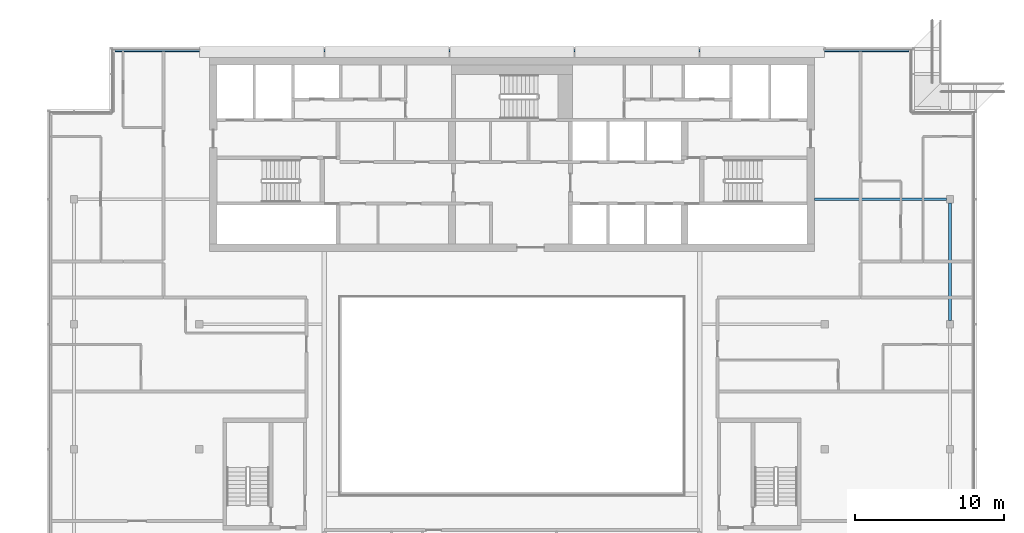
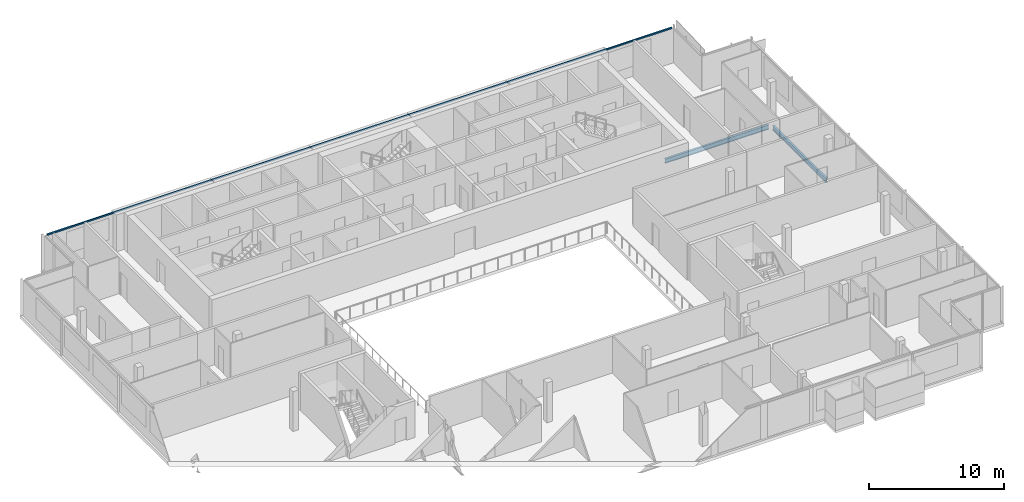
# One storey, part 12 of 24: 2 beams, 1 member, 1 element without a shape of its own.
"""IFC4 building model written with IfcOpenShell, lengths in metres."""

from ifc_helpers import new_model, si_unit, direction, frame, origin, origin_2d, place, context, subcontext, project, spatial, rectangle, i_section, extrude, material, material_profile, profile_set, type_object, element, aggregate, save


model = new_model("IFC4")

# Units and contexts
model_context = context("Model", 3, precision=1e-05, world=origin(), true_north=direction((0.0, 1.0)))
body_context = subcontext(model_context, "Body", "Model", "MODEL_VIEW")
ifc_project = project(units=[si_unit("LENGTHUNIT", "METRE"), si_unit("AREAUNIT", "SQUARE_METRE"), si_unit("VOLUMEUNIT", "CUBIC_METRE"), si_unit("PLANEANGLEUNIT", "RADIAN"), si_unit("MASSUNIT", "GRAM", prefix="KILO")], contexts=[model_context])

# Site, building, storey
site_placement = place(None, origin())
site = spatial("IfcSite", under=ifc_project, at=site_placement, CompositionType="ELEMENT")
building_placement = place(site_placement, origin())
building = spatial("IfcBuilding", under=site, at=building_placement, Name="Saffron Gate Tower", CompositionType="ELEMENT")
storey_placement = place(building_placement, frame((0.0, 0.0, 281.550048828125)))
storey = spatial("IfcBuildingStorey", under=building, at=storey_placement, Name="L68", CompositionType="ELEMENT", Elevation=281.550048828125)

# Beams
ifc_material_1 = material(Name="Structural steel S355", Category="steel")
ifc_material_profile_1 = material_profile(ifc_material_1, i_section(OverallWidth=0.179931640625, OverallDepth=0.39990234375, WebThickness=0.008544921875, FlangeThickness=0.013427734375, FilletRadius=0.02099609375, at=origin_2d()))
ifc_profile_set_1 = profile_set([ifc_material_profile_1], Name="Structural steel S355")
beam_type_1 = type_object("IfcBeamType", Name="B4 IPE 400", PredefinedType="BEAM", material=ifc_profile_set_1)
beam_1_placement = place(storey_placement, frame((116.75, 65.39990234375, -0.47998046875), z_axis=(-1.0, 0.0, 0.0), x_axis=(0.0, -1.0, 0.0)))
element("IfcBeam", 1, at=beam_1_placement, inside=storey, type_object=beam_type_1, Name="B4 CORE TIE BEAM", PredefinedType="BEAM", context=body_context, shape_type="SweptSolid", body=[
    extrude(i_section(OverallWidth=0.179931640625, OverallDepth=0.39990234375, WebThickness=0.008544921875, FlangeThickness=0.013427734375, FilletRadius=0.02099609375, at=origin_2d()), origin(), (0.0, 0.0, 1.0), 8.85009765625),
])
ifc_material_profile_2 = material_profile(ifc_material_1, i_section(OverallWidth=0.179931640625, OverallDepth=0.39990234375, WebThickness=0.008544921875, FlangeThickness=0.013427734375, FilletRadius=0.02099609375, at=origin_2d()))
ifc_profile_set_2 = profile_set([ifc_material_profile_2], Name="Structural steel S355")
beam_type_2 = type_object("IfcBeamType", Name="B5 IPE 400", PredefinedType="SPANDREL", material=ifc_profile_set_2)
beam_2_placement = place(storey_placement, frame((117.0, 57.25, -0.47998046875), z_axis=(0.0, 1.0, 0.0), x_axis=(-1.0, 0.0, 0.0)))
element("IfcBeam", 2, at=beam_2_placement, inside=storey, type_object=beam_type_2, Name="B5 SPANDREL BEAM", PredefinedType="SPANDREL", context=body_context, shape_type="SweptSolid", body=[
    extrude(i_section(OverallWidth=0.179931640625, OverallDepth=0.39990234375, WebThickness=0.008544921875, FlangeThickness=0.013427734375, FilletRadius=0.02099609375, at=origin_2d()), origin(), (0.0, 0.0, 1.0), 7.89990234375),
])

# Curtain wall, member
ifc_material_2 = material(Name="Aluminium, bronze anodised", Category="aluminium")
curtain_wall_type = type_object("IfcCurtainWallType", Name="CWS3 curtain wall rear facade", PredefinedType="NOTDEFINED", material=ifc_material_2)
curtain_wall_placement = place(storey_placement, origin())
curtain_wall = element("IfcCurtainWall", 3, at=curtain_wall_placement, inside=storey, type_object=curtain_wall_type, Name="CWS3 run 7", PredefinedType="NOTDEFINED")
ifc_material_profile_3 = material_profile(ifc_material_2, rectangle(XDim=0.1201171875, YDim=0.1201171875, at=origin_2d()))
ifc_profile_set_3 = profile_set([ifc_material_profile_3], Name="Aluminium, bronze anodised")
member_type = type_object("IfcMemberType", Name="CWS3 head transom", PredefinedType="USERDEFINED", material=ifc_profile_set_3)
member_placement = place(storey_placement, frame((114.23193359375, 75.35205078125, 3.260009765625), z_axis=(-1.0, 0.0, 0.0), x_axis=(0.0, -1.0, 0.0)))
member = element("IfcMember", 4, at=member_placement, type_object=member_type, Name="CWS3 head transom", ObjectType="TRANSOM", PredefinedType="USERDEFINED", context=body_context, shape_type="SweptSolid", body=[
    extrude(rectangle(XDim=0.1201171875, YDim=0.1201171875, at=origin_2d()), origin(), (0.0, 0.0, 1.0), 53.263916015625),
])
aggregate(curtain_wall, [member])

save(model, "model.ifc")
